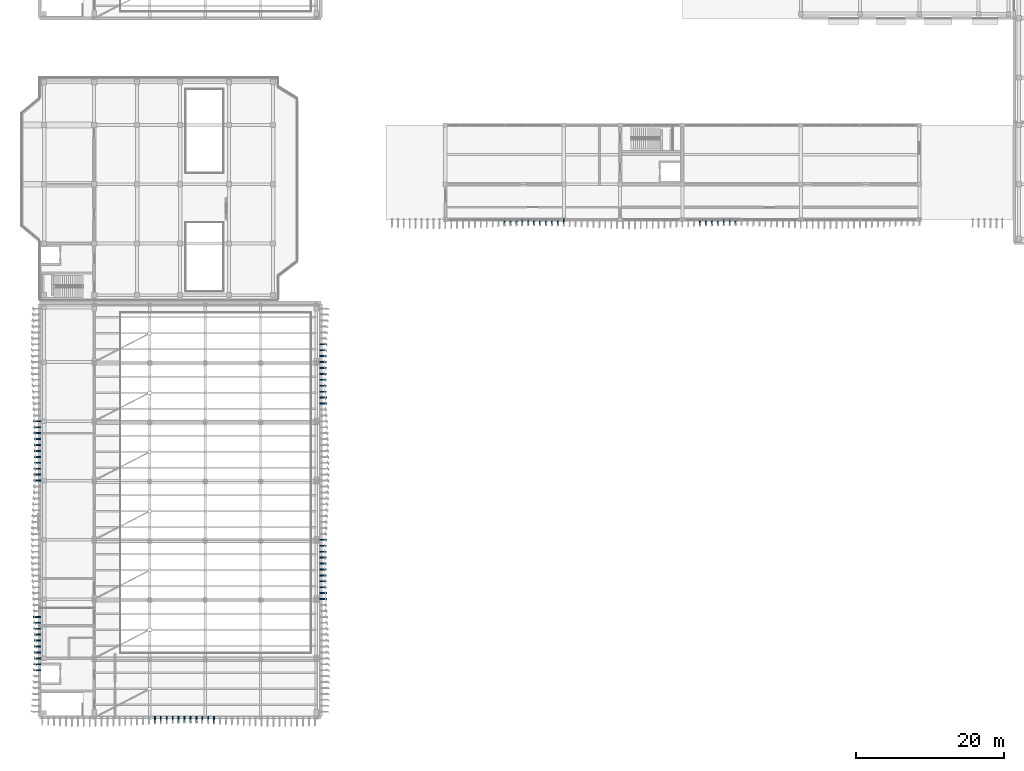
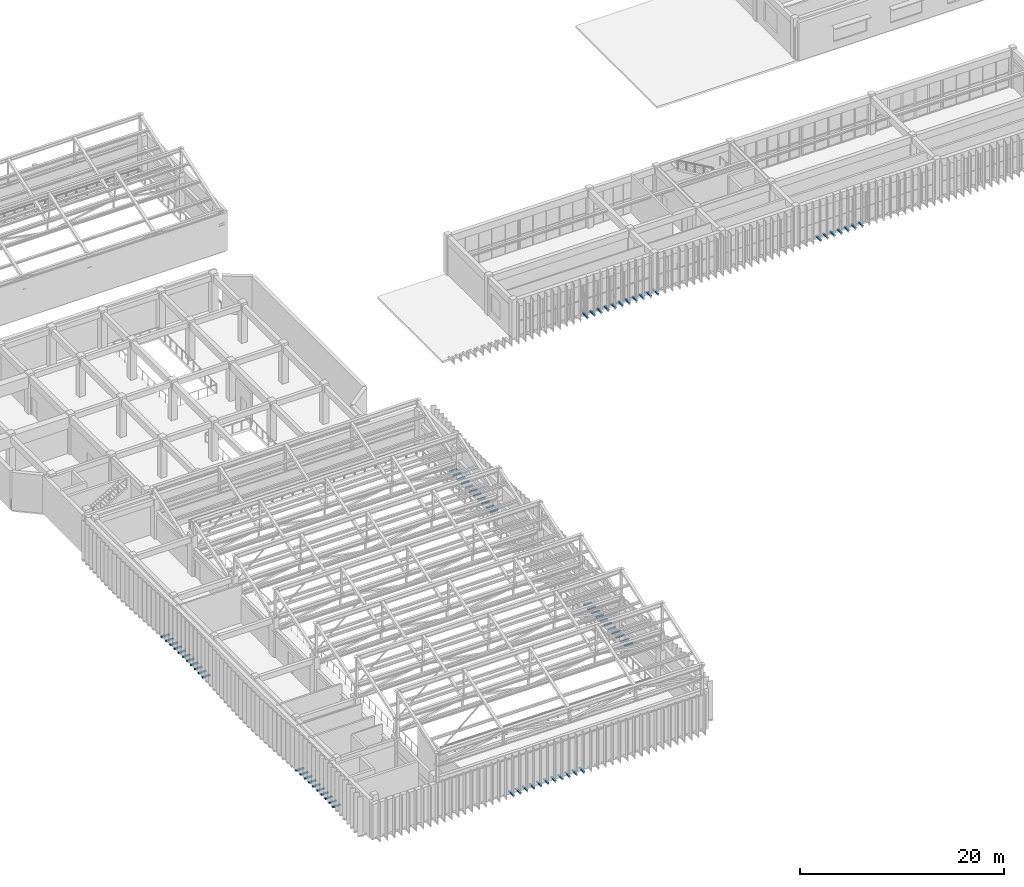
# One storey, part 63 of 76: 72 discrete accessories.
"""IFC4 building model written with IfcOpenShell, lengths in metres."""

from ifc_helpers import new_model, si_unit, direction, frame, origin, origin_2d, place, context, subcontext, project, spatial, rectangle, extrude, material, type_object, element, save


model = new_model("IFC4")

# Units and contexts
model_context = context("Model", 3, precision=1e-05, world=origin(), true_north=direction((0.0, 1.0)))
body_context = subcontext(model_context, "Body", "Model", "MODEL_VIEW")
ifc_project = project(units=[si_unit("LENGTHUNIT", "METRE"), si_unit("AREAUNIT", "SQUARE_METRE"), si_unit("VOLUMEUNIT", "CUBIC_METRE"), si_unit("PLANEANGLEUNIT", "RADIAN"), si_unit("MASSUNIT", "GRAM", prefix="KILO")], contexts=[model_context])

# Site, building, storey
site_placement = place(None, origin())
site = spatial("IfcSite", under=ifc_project, at=site_placement, CompositionType="ELEMENT")
building_placement = place(site_placement, origin())
building = spatial("IfcBuilding", under=site, at=building_placement, Name="Cinchona Park Media Centre", CompositionType="ELEMENT")
storey_placement = place(building_placement, frame((0.0, 0.0, 15.60009765625)))
storey = spatial("IfcBuildingStorey", under=building, at=storey_placement, Name="L03", CompositionType="ELEMENT", Elevation=15.60009765625)

# Discrete accessories
ifc_material = material(Name="Steel S355", Category="steel")
discrete_accessory_type = type_object("IfcDiscreteAccessoryType", Name="BRACKET-BRK01", PredefinedType="BRACKET", material=ifc_material)
discrete_accessory_1_placement = place(storey_placement, frame((7.681884765625, 47.60009765625, 0.0400390625), z_axis=(0.0, 0.0, 1.0), x_axis=(0.0, -1.0, 0.0)))
element("IfcDiscreteAccessory", 1, at=discrete_accessory_1_placement, inside=storey, type_object=discrete_accessory_type, Name="Facade Fin Outrigger Bracket L03", PredefinedType="BRACKET", context=body_context, shape_type="SweptSolid", body=[
    extrude(rectangle(XDim=0.179931640625, YDim=0.9560546875, at=origin_2d()), origin(), (0.0, 0.0, 1.0), 0.159912109375),
])
discrete_accessory_2_placement = place(storey_placement, frame((7.697021484375, 46.800048828125, 0.0400390625), z_axis=(0.0, 0.0, 1.0), x_axis=(0.0, -1.0, 0.0)))
element("IfcDiscreteAccessory", 2, at=discrete_accessory_2_placement, inside=storey, type_object=discrete_accessory_type, Name="Facade Fin Outrigger Bracket L03", PredefinedType="BRACKET", context=body_context, shape_type="SweptSolid", body=[
    extrude(rectangle(XDim=0.179931640625, YDim=0.925048828125, at=origin_2d()), origin(), (0.0, 0.0, 1.0), 0.159912109375),
])
discrete_accessory_3_placement = place(storey_placement, frame((7.7109375, 46.0, 0.0400390625), z_axis=(0.0, 0.0, 1.0), x_axis=(0.0, -1.0, 0.0)))
element("IfcDiscreteAccessory", 3, at=discrete_accessory_3_placement, inside=storey, type_object=discrete_accessory_type, Name="Facade Fin Outrigger Bracket L03", PredefinedType="BRACKET", context=body_context, shape_type="SweptSolid", body=[
    extrude(rectangle(XDim=0.179931640625, YDim=0.89892578125, at=origin_2d()), origin(), (0.0, 0.0, 1.0), 0.159912109375),
])
discrete_accessory_4_placement = place(storey_placement, frame((7.720947265625, 45.199951171875, 0.0400390625), z_axis=(0.0, 0.0, 1.0), x_axis=(0.0, -1.0, 0.0)))
element("IfcDiscreteAccessory", 4, at=discrete_accessory_4_placement, inside=storey, type_object=discrete_accessory_type, Name="Facade Fin Outrigger Bracket L03", PredefinedType="BRACKET", context=body_context, shape_type="SweptSolid", body=[
    extrude(rectangle(XDim=0.179931640625, YDim=0.87890625, at=origin_2d()), origin(), (0.0, 0.0, 1.0), 0.159912109375),
])
discrete_accessory_5_placement = place(storey_placement, frame((7.72705078125, 44.39990234375, 0.0400390625), z_axis=(0.0, 0.0, 1.0), x_axis=(0.0, -1.0, 0.0)))
element("IfcDiscreteAccessory", 5, at=discrete_accessory_5_placement, inside=storey, type_object=discrete_accessory_type, Name="Facade Fin Outrigger Bracket L03", PredefinedType="BRACKET", context=body_context, shape_type="SweptSolid", body=[
    extrude(rectangle(XDim=0.179931640625, YDim=0.865966796875, at=origin_2d()), origin(), (0.0, 0.0, 1.0), 0.159912109375),
])
discrete_accessory_6_placement = place(storey_placement, frame((7.72998046875, 43.60009765625, 0.0400390625), z_axis=(0.0, 0.0, 1.0), x_axis=(0.0, -1.0, 0.0)))
element("IfcDiscreteAccessory", 6, at=discrete_accessory_6_placement, inside=storey, type_object=discrete_accessory_type, Name="Facade Fin Outrigger Bracket L03", PredefinedType="BRACKET", context=body_context, shape_type="SweptSolid", body=[
    extrude(rectangle(XDim=0.179931640625, YDim=0.860107421875, at=origin_2d()), origin(), (0.0, 0.0, 1.0), 0.159912109375),
])
discrete_accessory_7_placement = place(storey_placement, frame((7.72900390625, 42.800048828125, 0.0400390625), z_axis=(0.0, 0.0, 1.0), x_axis=(0.0, -1.0, 0.0)))
element("IfcDiscreteAccessory", 7, at=discrete_accessory_7_placement, inside=storey, type_object=discrete_accessory_type, Name="Facade Fin Outrigger Bracket L03", PredefinedType="BRACKET", context=body_context, shape_type="SweptSolid", body=[
    extrude(rectangle(XDim=0.179931640625, YDim=0.862060546875, at=origin_2d()), origin(), (0.0, 0.0, 1.0), 0.159912109375),
])
discrete_accessory_8_placement = place(storey_placement, frame((7.72412109375, 42.0, 0.0400390625), z_axis=(0.0, 0.0, 1.0), x_axis=(0.0, -1.0, 0.0)))
element("IfcDiscreteAccessory", 8, at=discrete_accessory_8_placement, inside=storey, type_object=discrete_accessory_type, Name="Facade Fin Outrigger Bracket L03", PredefinedType="BRACKET", context=body_context, shape_type="SweptSolid", body=[
    extrude(rectangle(XDim=0.179931640625, YDim=0.8720703125, at=origin_2d()), origin(), (0.0, 0.0, 1.0), 0.159912109375),
])
discrete_accessory_9_placement = place(storey_placement, frame((7.716064453125, 41.199951171875, 0.0400390625), z_axis=(0.0, 0.0, 1.0), x_axis=(0.0, -1.0, 0.0)))
element("IfcDiscreteAccessory", 9, at=discrete_accessory_9_placement, inside=storey, type_object=discrete_accessory_type, Name="Facade Fin Outrigger Bracket L03", PredefinedType="BRACKET", context=body_context, shape_type="SweptSolid", body=[
    extrude(rectangle(XDim=0.179931640625, YDim=0.887939453125, at=origin_2d()), origin(), (0.0, 0.0, 1.0), 0.159912109375),
])
discrete_accessory_10_placement = place(storey_placement, frame((7.7041015625, 40.39990234375, 0.0400390625), z_axis=(0.0, 0.0, 1.0), x_axis=(0.0, -1.0, 0.0)))
element("IfcDiscreteAccessory", 10, at=discrete_accessory_10_placement, inside=storey, type_object=discrete_accessory_type, Name="Facade Fin Outrigger Bracket L03", PredefinedType="BRACKET", context=body_context, shape_type="SweptSolid", body=[
    extrude(rectangle(XDim=0.179931640625, YDim=0.910888671875, at=origin_2d()), origin(), (0.0, 0.0, 1.0), 0.159912109375),
])
discrete_accessory_11_placement = place(storey_placement, frame((7.68994140625, 39.60009765625, 0.0400390625), z_axis=(0.0, 0.0, 1.0), x_axis=(0.0, -1.0, 0.0)))
element("IfcDiscreteAccessory", 11, at=discrete_accessory_11_placement, inside=storey, type_object=discrete_accessory_type, Name="Facade Fin Outrigger Bracket L03", PredefinedType="BRACKET", context=body_context, shape_type="SweptSolid", body=[
    extrude(rectangle(XDim=0.179931640625, YDim=0.93994140625, at=origin_2d()), origin(), (0.0, 0.0, 1.0), 0.159912109375),
])
discrete_accessory_12_placement = place(storey_placement, frame((7.681884765625, 21.199951171875, 0.0400390625), z_axis=(0.0, 0.0, 1.0), x_axis=(0.0, -1.0, 0.0)))
element("IfcDiscreteAccessory", 12, at=discrete_accessory_12_placement, inside=storey, type_object=discrete_accessory_type, Name="Facade Fin Outrigger Bracket L03", PredefinedType="BRACKET", context=body_context, shape_type="SweptSolid", body=[
    extrude(rectangle(XDim=0.179931640625, YDim=0.9560546875, at=origin_2d()), origin(), (0.0, 0.0, 1.0), 0.159912109375),
])
discrete_accessory_13_placement = place(storey_placement, frame((7.697021484375, 20.39990234375, 0.0400390625), z_axis=(0.0, 0.0, 1.0), x_axis=(0.0, -1.0, 0.0)))
element("IfcDiscreteAccessory", 13, at=discrete_accessory_13_placement, inside=storey, type_object=discrete_accessory_type, Name="Facade Fin Outrigger Bracket L03", PredefinedType="BRACKET", context=body_context, shape_type="SweptSolid", body=[
    extrude(rectangle(XDim=0.179931640625, YDim=0.925048828125, at=origin_2d()), origin(), (0.0, 0.0, 1.0), 0.159912109375),
])
discrete_accessory_14_placement = place(storey_placement, frame((7.7109375, 19.60009765625, 0.0400390625), z_axis=(0.0, 0.0, 1.0), x_axis=(0.0, -1.0, 0.0)))
element("IfcDiscreteAccessory", 14, at=discrete_accessory_14_placement, inside=storey, type_object=discrete_accessory_type, Name="Facade Fin Outrigger Bracket L03", PredefinedType="BRACKET", context=body_context, shape_type="SweptSolid", body=[
    extrude(rectangle(XDim=0.179931640625, YDim=0.89892578125, at=origin_2d()), origin(), (0.0, 0.0, 1.0), 0.159912109375),
])
discrete_accessory_15_placement = place(storey_placement, frame((7.720947265625, 18.800048828125, 0.0400390625), z_axis=(0.0, 0.0, 1.0), x_axis=(0.0, -1.0, 0.0)))
element("IfcDiscreteAccessory", 15, at=discrete_accessory_15_placement, inside=storey, type_object=discrete_accessory_type, Name="Facade Fin Outrigger Bracket L03", PredefinedType="BRACKET", context=body_context, shape_type="SweptSolid", body=[
    extrude(rectangle(XDim=0.179931640625, YDim=0.87890625, at=origin_2d()), origin(), (0.0, 0.0, 1.0), 0.159912109375),
])
discrete_accessory_16_placement = place(storey_placement, frame((7.72705078125, 18.0, 0.0400390625), z_axis=(0.0, 0.0, 1.0), x_axis=(0.0, -1.0, 0.0)))
element("IfcDiscreteAccessory", 16, at=discrete_accessory_16_placement, inside=storey, type_object=discrete_accessory_type, Name="Facade Fin Outrigger Bracket L03", PredefinedType="BRACKET", context=body_context, shape_type="SweptSolid", body=[
    extrude(rectangle(XDim=0.179931640625, YDim=0.865966796875, at=origin_2d()), origin(), (0.0, 0.0, 1.0), 0.159912109375),
])
discrete_accessory_17_placement = place(storey_placement, frame((7.72998046875, 17.199951171875, 0.0400390625), z_axis=(0.0, 0.0, 1.0), x_axis=(0.0, -1.0, 0.0)))
element("IfcDiscreteAccessory", 17, at=discrete_accessory_17_placement, inside=storey, type_object=discrete_accessory_type, Name="Facade Fin Outrigger Bracket L03", PredefinedType="BRACKET", context=body_context, shape_type="SweptSolid", body=[
    extrude(rectangle(XDim=0.179931640625, YDim=0.860107421875, at=origin_2d()), origin(), (0.0, 0.0, 1.0), 0.159912109375),
])
discrete_accessory_18_placement = place(storey_placement, frame((7.72900390625, 16.39990234375, 0.0400390625), z_axis=(0.0, 0.0, 1.0), x_axis=(0.0, -1.0, 0.0)))
element("IfcDiscreteAccessory", 18, at=discrete_accessory_18_placement, inside=storey, type_object=discrete_accessory_type, Name="Facade Fin Outrigger Bracket L03", PredefinedType="BRACKET", context=body_context, shape_type="SweptSolid", body=[
    extrude(rectangle(XDim=0.179931640625, YDim=0.862060546875, at=origin_2d()), origin(), (0.0, 0.0, 1.0), 0.159912109375),
])
discrete_accessory_19_placement = place(storey_placement, frame((7.72412109375, 15.60009765625, 0.0400390625), z_axis=(0.0, 0.0, 1.0), x_axis=(0.0, -1.0, 0.0)))
element("IfcDiscreteAccessory", 19, at=discrete_accessory_19_placement, inside=storey, type_object=discrete_accessory_type, Name="Facade Fin Outrigger Bracket L03", PredefinedType="BRACKET", context=body_context, shape_type="SweptSolid", body=[
    extrude(rectangle(XDim=0.179931640625, YDim=0.8720703125, at=origin_2d()), origin(), (0.0, 0.0, 1.0), 0.159912109375),
])
discrete_accessory_20_placement = place(storey_placement, frame((7.716064453125, 14.800048828125, 0.0400390625), z_axis=(0.0, 0.0, 1.0), x_axis=(0.0, -1.0, 0.0)))
element("IfcDiscreteAccessory", 20, at=discrete_accessory_20_placement, inside=storey, type_object=discrete_accessory_type, Name="Facade Fin Outrigger Bracket L03", PredefinedType="BRACKET", context=body_context, shape_type="SweptSolid", body=[
    extrude(rectangle(XDim=0.179931640625, YDim=0.887939453125, at=origin_2d()), origin(), (0.0, 0.0, 1.0), 0.159912109375),
])
discrete_accessory_21_placement = place(storey_placement, frame((7.7041015625, 14.0, 0.0400390625), z_axis=(0.0, 0.0, 1.0), x_axis=(0.0, -1.0, 0.0)))
element("IfcDiscreteAccessory", 21, at=discrete_accessory_21_placement, inside=storey, type_object=discrete_accessory_type, Name="Facade Fin Outrigger Bracket L03", PredefinedType="BRACKET", context=body_context, shape_type="SweptSolid", body=[
    extrude(rectangle(XDim=0.179931640625, YDim=0.910888671875, at=origin_2d()), origin(), (0.0, 0.0, 1.0), 0.159912109375),
])
discrete_accessory_22_placement = place(storey_placement, frame((23.60009765625, 7.281982421875, 0.0400390625), z_axis=(0.0, 0.0, 1.0), x_axis=(1.0, 0.0, 0.0)))
element("IfcDiscreteAccessory", 22, at=discrete_accessory_22_placement, inside=storey, type_object=discrete_accessory_type, Name="Facade Fin Outrigger Bracket L03", PredefinedType="BRACKET", context=body_context, shape_type="SweptSolid", body=[
    extrude(rectangle(XDim=0.179931640625, YDim=0.9560546875, at=origin_2d()), origin(), (0.0, 0.0, 1.0), 0.159912109375),
])
discrete_accessory_23_placement = place(storey_placement, frame((24.39990234375, 7.297119140625, 0.0400390625), z_axis=(0.0, 0.0, 1.0), x_axis=(1.0, 0.0, 0.0)))
element("IfcDiscreteAccessory", 23, at=discrete_accessory_23_placement, inside=storey, type_object=discrete_accessory_type, Name="Facade Fin Outrigger Bracket L03", PredefinedType="BRACKET", context=body_context, shape_type="SweptSolid", body=[
    extrude(rectangle(XDim=0.179931640625, YDim=0.925048828125, at=origin_2d()), origin(), (0.0, 0.0, 1.0), 0.159912109375),
])
discrete_accessory_24_placement = place(storey_placement, frame((25.199951171875, 7.31103515625, 0.0400390625), z_axis=(0.0, 0.0, 1.0), x_axis=(1.0, 0.0, 0.0)))
element("IfcDiscreteAccessory", 24, at=discrete_accessory_24_placement, inside=storey, type_object=discrete_accessory_type, Name="Facade Fin Outrigger Bracket L03", PredefinedType="BRACKET", context=body_context, shape_type="SweptSolid", body=[
    extrude(rectangle(XDim=0.179931640625, YDim=0.89892578125, at=origin_2d()), origin(), (0.0, 0.0, 1.0), 0.159912109375),
])
discrete_accessory_25_placement = place(storey_placement, frame((26.0, 7.321044921875, 0.0400390625), z_axis=(0.0, 0.0, 1.0), x_axis=(1.0, 0.0, 0.0)))
element("IfcDiscreteAccessory", 25, at=discrete_accessory_25_placement, inside=storey, type_object=discrete_accessory_type, Name="Facade Fin Outrigger Bracket L03", PredefinedType="BRACKET", context=body_context, shape_type="SweptSolid", body=[
    extrude(rectangle(XDim=0.179931640625, YDim=0.87890625, at=origin_2d()), origin(), (0.0, 0.0, 1.0), 0.159912109375),
])
discrete_accessory_26_placement = place(storey_placement, frame((26.800048828125, 7.326904296875, 0.0400390625), z_axis=(0.0, 0.0, 1.0), x_axis=(1.0, 0.0, 0.0)))
element("IfcDiscreteAccessory", 26, at=discrete_accessory_26_placement, inside=storey, type_object=discrete_accessory_type, Name="Facade Fin Outrigger Bracket L03", PredefinedType="BRACKET", context=body_context, shape_type="SweptSolid", body=[
    extrude(rectangle(XDim=0.179931640625, YDim=0.865966796875, at=origin_2d()), origin(), (0.0, 0.0, 1.0), 0.159912109375),
])
discrete_accessory_27_placement = place(storey_placement, frame((27.60009765625, 7.330078125, 0.0400390625), z_axis=(0.0, 0.0, 1.0), x_axis=(1.0, 0.0, 0.0)))
element("IfcDiscreteAccessory", 27, at=discrete_accessory_27_placement, inside=storey, type_object=discrete_accessory_type, Name="Facade Fin Outrigger Bracket L03", PredefinedType="BRACKET", context=body_context, shape_type="SweptSolid", body=[
    extrude(rectangle(XDim=0.179931640625, YDim=0.860107421875, at=origin_2d()), origin(), (0.0, 0.0, 1.0), 0.159912109375),
])
discrete_accessory_28_placement = place(storey_placement, frame((28.39990234375, 7.3291015625, 0.0400390625), z_axis=(0.0, 0.0, 1.0), x_axis=(1.0, 0.0, 0.0)))
element("IfcDiscreteAccessory", 28, at=discrete_accessory_28_placement, inside=storey, type_object=discrete_accessory_type, Name="Facade Fin Outrigger Bracket L03", PredefinedType="BRACKET", context=body_context, shape_type="SweptSolid", body=[
    extrude(rectangle(XDim=0.179931640625, YDim=0.862060546875, at=origin_2d()), origin(), (0.0, 0.0, 1.0), 0.159912109375),
])
discrete_accessory_29_placement = place(storey_placement, frame((29.199951171875, 7.323974609375, 0.0400390625), z_axis=(0.0, 0.0, 1.0), x_axis=(1.0, 0.0, 0.0)))
element("IfcDiscreteAccessory", 29, at=discrete_accessory_29_placement, inside=storey, type_object=discrete_accessory_type, Name="Facade Fin Outrigger Bracket L03", PredefinedType="BRACKET", context=body_context, shape_type="SweptSolid", body=[
    extrude(rectangle(XDim=0.179931640625, YDim=0.8720703125, at=origin_2d()), origin(), (0.0, 0.0, 1.0), 0.159912109375),
])
discrete_accessory_30_placement = place(storey_placement, frame((30.0, 7.31591796875, 0.0400390625), z_axis=(0.0, 0.0, 1.0), x_axis=(1.0, 0.0, 0.0)))
element("IfcDiscreteAccessory", 30, at=discrete_accessory_30_placement, inside=storey, type_object=discrete_accessory_type, Name="Facade Fin Outrigger Bracket L03", PredefinedType="BRACKET", context=body_context, shape_type="SweptSolid", body=[
    extrude(rectangle(XDim=0.179931640625, YDim=0.887939453125, at=origin_2d()), origin(), (0.0, 0.0, 1.0), 0.159912109375),
])
discrete_accessory_31_placement = place(storey_placement, frame((30.800048828125, 7.303955078125, 0.0400390625), z_axis=(0.0, 0.0, 1.0), x_axis=(1.0, 0.0, 0.0)))
element("IfcDiscreteAccessory", 31, at=discrete_accessory_31_placement, inside=storey, type_object=discrete_accessory_type, Name="Facade Fin Outrigger Bracket L03", PredefinedType="BRACKET", context=body_context, shape_type="SweptSolid", body=[
    extrude(rectangle(XDim=0.179931640625, YDim=0.910888671875, at=origin_2d()), origin(), (0.0, 0.0, 1.0), 0.159912109375),
])
discrete_accessory_32_placement = place(storey_placement, frame((31.60009765625, 7.2900390625, 0.0400390625), z_axis=(0.0, 0.0, 1.0), x_axis=(1.0, 0.0, 0.0)))
element("IfcDiscreteAccessory", 32, at=discrete_accessory_32_placement, inside=storey, type_object=discrete_accessory_type, Name="Facade Fin Outrigger Bracket L03", PredefinedType="BRACKET", context=body_context, shape_type="SweptSolid", body=[
    extrude(rectangle(XDim=0.179931640625, YDim=0.93994140625, at=origin_2d()), origin(), (0.0, 0.0, 1.0), 0.159912109375),
])
discrete_accessory_33_placement = place(storey_placement, frame((46.318115234375, 23.60009765625, 0.0400390625), z_axis=(0.0, 0.0, 1.0), x_axis=(0.0, 1.0, 0.0)))
element("IfcDiscreteAccessory", 33, at=discrete_accessory_33_placement, inside=storey, type_object=discrete_accessory_type, Name="Facade Fin Outrigger Bracket L03", PredefinedType="BRACKET", context=body_context, shape_type="SweptSolid", body=[
    extrude(rectangle(XDim=0.179931640625, YDim=0.9560546875, at=origin_2d()), origin(), (0.0, 0.0, 1.0), 0.159912109375),
])
discrete_accessory_34_placement = place(storey_placement, frame((46.302978515625, 24.39990234375, 0.0400390625), z_axis=(0.0, 0.0, 1.0), x_axis=(0.0, 1.0, 0.0)))
element("IfcDiscreteAccessory", 34, at=discrete_accessory_34_placement, inside=storey, type_object=discrete_accessory_type, Name="Facade Fin Outrigger Bracket L03", PredefinedType="BRACKET", context=body_context, shape_type="SweptSolid", body=[
    extrude(rectangle(XDim=0.179931640625, YDim=0.925048828125, at=origin_2d()), origin(), (0.0, 0.0, 1.0), 0.159912109375),
])
discrete_accessory_35_placement = place(storey_placement, frame((46.2890625, 25.199951171875, 0.0400390625), z_axis=(0.0, 0.0, 1.0), x_axis=(0.0, 1.0, 0.0)))
element("IfcDiscreteAccessory", 35, at=discrete_accessory_35_placement, inside=storey, type_object=discrete_accessory_type, Name="Facade Fin Outrigger Bracket L03", PredefinedType="BRACKET", context=body_context, shape_type="SweptSolid", body=[
    extrude(rectangle(XDim=0.179931640625, YDim=0.89892578125, at=origin_2d()), origin(), (0.0, 0.0, 1.0), 0.159912109375),
])
discrete_accessory_36_placement = place(storey_placement, frame((46.279052734375, 26.0, 0.0400390625), z_axis=(0.0, 0.0, 1.0), x_axis=(0.0, 1.0, 0.0)))
element("IfcDiscreteAccessory", 36, at=discrete_accessory_36_placement, inside=storey, type_object=discrete_accessory_type, Name="Facade Fin Outrigger Bracket L03", PredefinedType="BRACKET", context=body_context, shape_type="SweptSolid", body=[
    extrude(rectangle(XDim=0.179931640625, YDim=0.87890625, at=origin_2d()), origin(), (0.0, 0.0, 1.0), 0.159912109375),
])
discrete_accessory_37_placement = place(storey_placement, frame((46.27294921875, 26.800048828125, 0.0400390625), z_axis=(0.0, 0.0, 1.0), x_axis=(0.0, 1.0, 0.0)))
element("IfcDiscreteAccessory", 37, at=discrete_accessory_37_placement, inside=storey, type_object=discrete_accessory_type, Name="Facade Fin Outrigger Bracket L03", PredefinedType="BRACKET", context=body_context, shape_type="SweptSolid", body=[
    extrude(rectangle(XDim=0.179931640625, YDim=0.865966796875, at=origin_2d()), origin(), (0.0, 0.0, 1.0), 0.159912109375),
])
discrete_accessory_38_placement = place(storey_placement, frame((46.27001953125, 27.60009765625, 0.0400390625), z_axis=(0.0, 0.0, 1.0), x_axis=(0.0, 1.0, 0.0)))
element("IfcDiscreteAccessory", 38, at=discrete_accessory_38_placement, inside=storey, type_object=discrete_accessory_type, Name="Facade Fin Outrigger Bracket L03", PredefinedType="BRACKET", context=body_context, shape_type="SweptSolid", body=[
    extrude(rectangle(XDim=0.179931640625, YDim=0.860107421875, at=origin_2d()), origin(), (0.0, 0.0, 1.0), 0.159912109375),
])
discrete_accessory_39_placement = place(storey_placement, frame((46.27099609375, 28.39990234375, 0.0400390625), z_axis=(0.0, 0.0, 1.0), x_axis=(0.0, 1.0, 0.0)))
element("IfcDiscreteAccessory", 39, at=discrete_accessory_39_placement, inside=storey, type_object=discrete_accessory_type, Name="Facade Fin Outrigger Bracket L03", PredefinedType="BRACKET", context=body_context, shape_type="SweptSolid", body=[
    extrude(rectangle(XDim=0.179931640625, YDim=0.862060546875, at=origin_2d()), origin(), (0.0, 0.0, 1.0), 0.159912109375),
])
discrete_accessory_40_placement = place(storey_placement, frame((46.27587890625, 29.199951171875, 0.0400390625), z_axis=(0.0, 0.0, 1.0), x_axis=(0.0, 1.0, 0.0)))
element("IfcDiscreteAccessory", 40, at=discrete_accessory_40_placement, inside=storey, type_object=discrete_accessory_type, Name="Facade Fin Outrigger Bracket L03", PredefinedType="BRACKET", context=body_context, shape_type="SweptSolid", body=[
    extrude(rectangle(XDim=0.179931640625, YDim=0.8720703125, at=origin_2d()), origin(), (0.0, 0.0, 1.0), 0.159912109375),
])
discrete_accessory_41_placement = place(storey_placement, frame((46.283935546875, 30.0, 0.0400390625), z_axis=(0.0, 0.0, 1.0), x_axis=(0.0, 1.0, 0.0)))
element("IfcDiscreteAccessory", 41, at=discrete_accessory_41_placement, inside=storey, type_object=discrete_accessory_type, Name="Facade Fin Outrigger Bracket L03", PredefinedType="BRACKET", context=body_context, shape_type="SweptSolid", body=[
    extrude(rectangle(XDim=0.179931640625, YDim=0.887939453125, at=origin_2d()), origin(), (0.0, 0.0, 1.0), 0.159912109375),
])
discrete_accessory_42_placement = place(storey_placement, frame((46.2958984375, 30.800048828125, 0.0400390625), z_axis=(0.0, 0.0, 1.0), x_axis=(0.0, 1.0, 0.0)))
element("IfcDiscreteAccessory", 42, at=discrete_accessory_42_placement, inside=storey, type_object=discrete_accessory_type, Name="Facade Fin Outrigger Bracket L03", PredefinedType="BRACKET", context=body_context, shape_type="SweptSolid", body=[
    extrude(rectangle(XDim=0.179931640625, YDim=0.910888671875, at=origin_2d()), origin(), (0.0, 0.0, 1.0), 0.159912109375),
])
discrete_accessory_43_placement = place(storey_placement, frame((46.31005859375, 31.60009765625, 0.0400390625), z_axis=(0.0, 0.0, 1.0), x_axis=(0.0, 1.0, 0.0)))
element("IfcDiscreteAccessory", 43, at=discrete_accessory_43_placement, inside=storey, type_object=discrete_accessory_type, Name="Facade Fin Outrigger Bracket L03", PredefinedType="BRACKET", context=body_context, shape_type="SweptSolid", body=[
    extrude(rectangle(XDim=0.179931640625, YDim=0.93994140625, at=origin_2d()), origin(), (0.0, 0.0, 1.0), 0.159912109375),
])
discrete_accessory_44_placement = place(storey_placement, frame((46.318115234375, 50.0, 0.0400390625), z_axis=(0.0, 0.0, 1.0), x_axis=(0.0, 1.0, 0.0)))
element("IfcDiscreteAccessory", 44, at=discrete_accessory_44_placement, inside=storey, type_object=discrete_accessory_type, Name="Facade Fin Outrigger Bracket L03", PredefinedType="BRACKET", context=body_context, shape_type="SweptSolid", body=[
    extrude(rectangle(XDim=0.179931640625, YDim=0.9560546875, at=origin_2d()), origin(), (0.0, 0.0, 1.0), 0.159912109375),
])
discrete_accessory_45_placement = place(storey_placement, frame((46.302978515625, 50.800048828125, 0.0400390625), z_axis=(0.0, 0.0, 1.0), x_axis=(0.0, 1.0, 0.0)))
element("IfcDiscreteAccessory", 45, at=discrete_accessory_45_placement, inside=storey, type_object=discrete_accessory_type, Name="Facade Fin Outrigger Bracket L03", PredefinedType="BRACKET", context=body_context, shape_type="SweptSolid", body=[
    extrude(rectangle(XDim=0.179931640625, YDim=0.925048828125, at=origin_2d()), origin(), (0.0, 0.0, 1.0), 0.159912109375),
])
discrete_accessory_46_placement = place(storey_placement, frame((46.2890625, 51.60009765625, 0.0400390625), z_axis=(0.0, 0.0, 1.0), x_axis=(0.0, 1.0, 0.0)))
element("IfcDiscreteAccessory", 46, at=discrete_accessory_46_placement, inside=storey, type_object=discrete_accessory_type, Name="Facade Fin Outrigger Bracket L03", PredefinedType="BRACKET", context=body_context, shape_type="SweptSolid", body=[
    extrude(rectangle(XDim=0.179931640625, YDim=0.89892578125, at=origin_2d()), origin(), (0.0, 0.0, 1.0), 0.159912109375),
])
discrete_accessory_47_placement = place(storey_placement, frame((46.279052734375, 52.39990234375, 0.0400390625), z_axis=(0.0, 0.0, 1.0), x_axis=(0.0, 1.0, 0.0)))
element("IfcDiscreteAccessory", 47, at=discrete_accessory_47_placement, inside=storey, type_object=discrete_accessory_type, Name="Facade Fin Outrigger Bracket L03", PredefinedType="BRACKET", context=body_context, shape_type="SweptSolid", body=[
    extrude(rectangle(XDim=0.179931640625, YDim=0.87890625, at=origin_2d()), origin(), (0.0, 0.0, 1.0), 0.159912109375),
])
discrete_accessory_48_placement = place(storey_placement, frame((46.27294921875, 53.199951171875, 0.0400390625), z_axis=(0.0, 0.0, 1.0), x_axis=(0.0, 1.0, 0.0)))
element("IfcDiscreteAccessory", 48, at=discrete_accessory_48_placement, inside=storey, type_object=discrete_accessory_type, Name="Facade Fin Outrigger Bracket L03", PredefinedType="BRACKET", context=body_context, shape_type="SweptSolid", body=[
    extrude(rectangle(XDim=0.179931640625, YDim=0.865966796875, at=origin_2d()), origin(), (0.0, 0.0, 1.0), 0.159912109375),
])
discrete_accessory_49_placement = place(storey_placement, frame((46.27001953125, 54.0, 0.0400390625), z_axis=(0.0, 0.0, 1.0), x_axis=(0.0, 1.0, 0.0)))
element("IfcDiscreteAccessory", 49, at=discrete_accessory_49_placement, inside=storey, type_object=discrete_accessory_type, Name="Facade Fin Outrigger Bracket L03", PredefinedType="BRACKET", context=body_context, shape_type="SweptSolid", body=[
    extrude(rectangle(XDim=0.179931640625, YDim=0.860107421875, at=origin_2d()), origin(), (0.0, 0.0, 1.0), 0.159912109375),
])
discrete_accessory_50_placement = place(storey_placement, frame((46.27099609375, 54.800048828125, 0.0400390625), z_axis=(0.0, 0.0, 1.0), x_axis=(0.0, 1.0, 0.0)))
element("IfcDiscreteAccessory", 50, at=discrete_accessory_50_placement, inside=storey, type_object=discrete_accessory_type, Name="Facade Fin Outrigger Bracket L03", PredefinedType="BRACKET", context=body_context, shape_type="SweptSolid", body=[
    extrude(rectangle(XDim=0.179931640625, YDim=0.862060546875, at=origin_2d()), origin(), (0.0, 0.0, 1.0), 0.159912109375),
])
discrete_accessory_51_placement = place(storey_placement, frame((46.27587890625, 55.60009765625, 0.0400390625), z_axis=(0.0, 0.0, 1.0), x_axis=(0.0, 1.0, 0.0)))
element("IfcDiscreteAccessory", 51, at=discrete_accessory_51_placement, inside=storey, type_object=discrete_accessory_type, Name="Facade Fin Outrigger Bracket L03", PredefinedType="BRACKET", context=body_context, shape_type="SweptSolid", body=[
    extrude(rectangle(XDim=0.179931640625, YDim=0.8720703125, at=origin_2d()), origin(), (0.0, 0.0, 1.0), 0.159912109375),
])
discrete_accessory_52_placement = place(storey_placement, frame((46.283935546875, 56.39990234375, 0.0400390625), z_axis=(0.0, 0.0, 1.0), x_axis=(0.0, 1.0, 0.0)))
element("IfcDiscreteAccessory", 52, at=discrete_accessory_52_placement, inside=storey, type_object=discrete_accessory_type, Name="Facade Fin Outrigger Bracket L03", PredefinedType="BRACKET", context=body_context, shape_type="SweptSolid", body=[
    extrude(rectangle(XDim=0.179931640625, YDim=0.887939453125, at=origin_2d()), origin(), (0.0, 0.0, 1.0), 0.159912109375),
])
discrete_accessory_53_placement = place(storey_placement, frame((46.2958984375, 57.199951171875, 0.0400390625), z_axis=(0.0, 0.0, 1.0), x_axis=(0.0, 1.0, 0.0)))
element("IfcDiscreteAccessory", 53, at=discrete_accessory_53_placement, inside=storey, type_object=discrete_accessory_type, Name="Facade Fin Outrigger Bracket L03", PredefinedType="BRACKET", context=body_context, shape_type="SweptSolid", body=[
    extrude(rectangle(XDim=0.179931640625, YDim=0.910888671875, at=origin_2d()), origin(), (0.0, 0.0, 1.0), 0.159912109375),
])
discrete_accessory_54_placement = place(storey_placement, frame((46.31005859375, 58.0, 0.0400390625), z_axis=(0.0, 0.0, 1.0), x_axis=(0.0, 1.0, 0.0)))
element("IfcDiscreteAccessory", 54, at=discrete_accessory_54_placement, inside=storey, type_object=discrete_accessory_type, Name="Facade Fin Outrigger Bracket L03", PredefinedType="BRACKET", context=body_context, shape_type="SweptSolid", body=[
    extrude(rectangle(XDim=0.179931640625, YDim=0.93994140625, at=origin_2d()), origin(), (0.0, 0.0, 1.0), 0.159912109375),
])
discrete_accessory_55_placement = place(storey_placement, frame((70.800048828125, 74.48193359375, 0.0400390625), z_axis=(0.0, 0.0, 1.0), x_axis=(1.0, 0.0, 0.0)))
element("IfcDiscreteAccessory", 55, at=discrete_accessory_55_placement, inside=storey, type_object=discrete_accessory_type, Name="Facade Fin Outrigger Bracket L03", PredefinedType="BRACKET", context=body_context, shape_type="SweptSolid", body=[
    extrude(rectangle(XDim=0.179931640625, YDim=0.9560546875, at=origin_2d()), origin(), (0.0, 0.0, 1.0), 0.159912109375),
])
discrete_accessory_56_placement = place(storey_placement, frame((71.60009765625, 74.4970703125, 0.0400390625), z_axis=(0.0, 0.0, 1.0), x_axis=(1.0, 0.0, 0.0)))
element("IfcDiscreteAccessory", 56, at=discrete_accessory_56_placement, inside=storey, type_object=discrete_accessory_type, Name="Facade Fin Outrigger Bracket L03", PredefinedType="BRACKET", context=body_context, shape_type="SweptSolid", body=[
    extrude(rectangle(XDim=0.179931640625, YDim=0.925048828125, at=origin_2d()), origin(), (0.0, 0.0, 1.0), 0.159912109375),
])
discrete_accessory_57_placement = place(storey_placement, frame((72.39990234375, 74.510986328125, 0.0400390625), z_axis=(0.0, 0.0, 1.0), x_axis=(1.0, 0.0, 0.0)))
element("IfcDiscreteAccessory", 57, at=discrete_accessory_57_placement, inside=storey, type_object=discrete_accessory_type, Name="Facade Fin Outrigger Bracket L03", PredefinedType="BRACKET", context=body_context, shape_type="SweptSolid", body=[
    extrude(rectangle(XDim=0.179931640625, YDim=0.89892578125, at=origin_2d()), origin(), (0.0, 0.0, 1.0), 0.159912109375),
])
discrete_accessory_58_placement = place(storey_placement, frame((73.199951171875, 74.52099609375, 0.0400390625), z_axis=(0.0, 0.0, 1.0), x_axis=(1.0, 0.0, 0.0)))
element("IfcDiscreteAccessory", 58, at=discrete_accessory_58_placement, inside=storey, type_object=discrete_accessory_type, Name="Facade Fin Outrigger Bracket L03", PredefinedType="BRACKET", context=body_context, shape_type="SweptSolid", body=[
    extrude(rectangle(XDim=0.179931640625, YDim=0.87890625, at=origin_2d()), origin(), (0.0, 0.0, 1.0), 0.159912109375),
])
discrete_accessory_59_placement = place(storey_placement, frame((74.0, 74.527099609375, 0.0400390625), z_axis=(0.0, 0.0, 1.0), x_axis=(1.0, 0.0, 0.0)))
element("IfcDiscreteAccessory", 59, at=discrete_accessory_59_placement, inside=storey, type_object=discrete_accessory_type, Name="Facade Fin Outrigger Bracket L03", PredefinedType="BRACKET", context=body_context, shape_type="SweptSolid", body=[
    extrude(rectangle(XDim=0.179931640625, YDim=0.865966796875, at=origin_2d()), origin(), (0.0, 0.0, 1.0), 0.159912109375),
])
discrete_accessory_60_placement = place(storey_placement, frame((74.800048828125, 74.530029296875, 0.0400390625), z_axis=(0.0, 0.0, 1.0), x_axis=(1.0, 0.0, 0.0)))
element("IfcDiscreteAccessory", 60, at=discrete_accessory_60_placement, inside=storey, type_object=discrete_accessory_type, Name="Facade Fin Outrigger Bracket L03", PredefinedType="BRACKET", context=body_context, shape_type="SweptSolid", body=[
    extrude(rectangle(XDim=0.179931640625, YDim=0.860107421875, at=origin_2d()), origin(), (0.0, 0.0, 1.0), 0.159912109375),
])
discrete_accessory_61_placement = place(storey_placement, frame((75.60009765625, 74.529052734375, 0.0400390625), z_axis=(0.0, 0.0, 1.0), x_axis=(1.0, 0.0, 0.0)))
element("IfcDiscreteAccessory", 61, at=discrete_accessory_61_placement, inside=storey, type_object=discrete_accessory_type, Name="Facade Fin Outrigger Bracket L03", PredefinedType="BRACKET", context=body_context, shape_type="SweptSolid", body=[
    extrude(rectangle(XDim=0.179931640625, YDim=0.862060546875, at=origin_2d()), origin(), (0.0, 0.0, 1.0), 0.159912109375),
])
discrete_accessory_62_placement = place(storey_placement, frame((76.39990234375, 74.52392578125, 0.0400390625), z_axis=(0.0, 0.0, 1.0), x_axis=(1.0, 0.0, 0.0)))
element("IfcDiscreteAccessory", 62, at=discrete_accessory_62_placement, inside=storey, type_object=discrete_accessory_type, Name="Facade Fin Outrigger Bracket L03", PredefinedType="BRACKET", context=body_context, shape_type="SweptSolid", body=[
    extrude(rectangle(XDim=0.179931640625, YDim=0.8720703125, at=origin_2d()), origin(), (0.0, 0.0, 1.0), 0.159912109375),
])
discrete_accessory_63_placement = place(storey_placement, frame((77.199951171875, 74.51611328125, 0.0400390625), z_axis=(0.0, 0.0, 1.0), x_axis=(1.0, 0.0, 0.0)))
element("IfcDiscreteAccessory", 63, at=discrete_accessory_63_placement, inside=storey, type_object=discrete_accessory_type, Name="Facade Fin Outrigger Bracket L03", PredefinedType="BRACKET", context=body_context, shape_type="SweptSolid", body=[
    extrude(rectangle(XDim=0.179931640625, YDim=0.887939453125, at=origin_2d()), origin(), (0.0, 0.0, 1.0), 0.159912109375),
])
discrete_accessory_64_placement = place(storey_placement, frame((78.0, 74.50390625, 0.0400390625), z_axis=(0.0, 0.0, 1.0), x_axis=(1.0, 0.0, 0.0)))
element("IfcDiscreteAccessory", 64, at=discrete_accessory_64_placement, inside=storey, type_object=discrete_accessory_type, Name="Facade Fin Outrigger Bracket L03", PredefinedType="BRACKET", context=body_context, shape_type="SweptSolid", body=[
    extrude(rectangle(XDim=0.179931640625, YDim=0.910888671875, at=origin_2d()), origin(), (0.0, 0.0, 1.0), 0.159912109375),
])
discrete_accessory_65_placement = place(storey_placement, frame((78.800048828125, 74.489990234375, 0.0400390625), z_axis=(0.0, 0.0, 1.0), x_axis=(1.0, 0.0, 0.0)))
element("IfcDiscreteAccessory", 65, at=discrete_accessory_65_placement, inside=storey, type_object=discrete_accessory_type, Name="Facade Fin Outrigger Bracket L03", PredefinedType="BRACKET", context=body_context, shape_type="SweptSolid", body=[
    extrude(rectangle(XDim=0.179931640625, YDim=0.93994140625, at=origin_2d()), origin(), (0.0, 0.0, 1.0), 0.159912109375),
])
discrete_accessory_66_placement = place(storey_placement, frame((97.199951171875, 74.48193359375, 0.0400390625), z_axis=(0.0, 0.0, 1.0), x_axis=(1.0, 0.0, 0.0)))
element("IfcDiscreteAccessory", 66, at=discrete_accessory_66_placement, inside=storey, type_object=discrete_accessory_type, Name="Facade Fin Outrigger Bracket L03", PredefinedType="BRACKET", context=body_context, shape_type="SweptSolid", body=[
    extrude(rectangle(XDim=0.179931640625, YDim=0.9560546875, at=origin_2d()), origin(), (0.0, 0.0, 1.0), 0.159912109375),
])
discrete_accessory_67_placement = place(storey_placement, frame((98.0, 74.4970703125, 0.0400390625), z_axis=(0.0, 0.0, 1.0), x_axis=(1.0, 0.0, 0.0)))
element("IfcDiscreteAccessory", 67, at=discrete_accessory_67_placement, inside=storey, type_object=discrete_accessory_type, Name="Facade Fin Outrigger Bracket L03", PredefinedType="BRACKET", context=body_context, shape_type="SweptSolid", body=[
    extrude(rectangle(XDim=0.179931640625, YDim=0.925048828125, at=origin_2d()), origin(), (0.0, 0.0, 1.0), 0.159912109375),
])
discrete_accessory_68_placement = place(storey_placement, frame((98.800048828125, 74.510986328125, 0.0400390625), z_axis=(0.0, 0.0, 1.0), x_axis=(1.0, 0.0, 0.0)))
element("IfcDiscreteAccessory", 68, at=discrete_accessory_68_placement, inside=storey, type_object=discrete_accessory_type, Name="Facade Fin Outrigger Bracket L03", PredefinedType="BRACKET", context=body_context, shape_type="SweptSolid", body=[
    extrude(rectangle(XDim=0.179931640625, YDim=0.89892578125, at=origin_2d()), origin(), (0.0, 0.0, 1.0), 0.159912109375),
])
discrete_accessory_69_placement = place(storey_placement, frame((99.60009765625, 74.52099609375, 0.0400390625), z_axis=(0.0, 0.0, 1.0), x_axis=(1.0, 0.0, 0.0)))
element("IfcDiscreteAccessory", 69, at=discrete_accessory_69_placement, inside=storey, type_object=discrete_accessory_type, Name="Facade Fin Outrigger Bracket L03", PredefinedType="BRACKET", context=body_context, shape_type="SweptSolid", body=[
    extrude(rectangle(XDim=0.179931640625, YDim=0.87890625, at=origin_2d()), origin(), (0.0, 0.0, 1.0), 0.159912109375),
])
discrete_accessory_70_placement = place(storey_placement, frame((100.39990234375, 74.527099609375, 0.0400390625), z_axis=(0.0, 0.0, 1.0), x_axis=(1.0, 0.0, 0.0)))
element("IfcDiscreteAccessory", 70, at=discrete_accessory_70_placement, inside=storey, type_object=discrete_accessory_type, Name="Facade Fin Outrigger Bracket L03", PredefinedType="BRACKET", context=body_context, shape_type="SweptSolid", body=[
    extrude(rectangle(XDim=0.179931640625, YDim=0.865966796875, at=origin_2d()), origin(), (0.0, 0.0, 1.0), 0.159912109375),
])
discrete_accessory_71_placement = place(storey_placement, frame((101.199951171875, 74.530029296875, 0.0400390625), z_axis=(0.0, 0.0, 1.0), x_axis=(1.0, 0.0, 0.0)))
element("IfcDiscreteAccessory", 71, at=discrete_accessory_71_placement, inside=storey, type_object=discrete_accessory_type, Name="Facade Fin Outrigger Bracket L03", PredefinedType="BRACKET", context=body_context, shape_type="SweptSolid", body=[
    extrude(rectangle(XDim=0.179931640625, YDim=0.860107421875, at=origin_2d()), origin(), (0.0, 0.0, 1.0), 0.159912109375),
])
discrete_accessory_72_placement = place(storey_placement, frame((102.0, 74.529052734375, 0.0400390625), z_axis=(0.0, 0.0, 1.0), x_axis=(1.0, 0.0, 0.0)))
element("IfcDiscreteAccessory", 72, at=discrete_accessory_72_placement, inside=storey, type_object=discrete_accessory_type, Name="Facade Fin Outrigger Bracket L03", PredefinedType="BRACKET", context=body_context, shape_type="SweptSolid", body=[
    extrude(rectangle(XDim=0.179931640625, YDim=0.862060546875, at=origin_2d()), origin(), (0.0, 0.0, 1.0), 0.159912109375),
])

save(model, "model.ifc")
